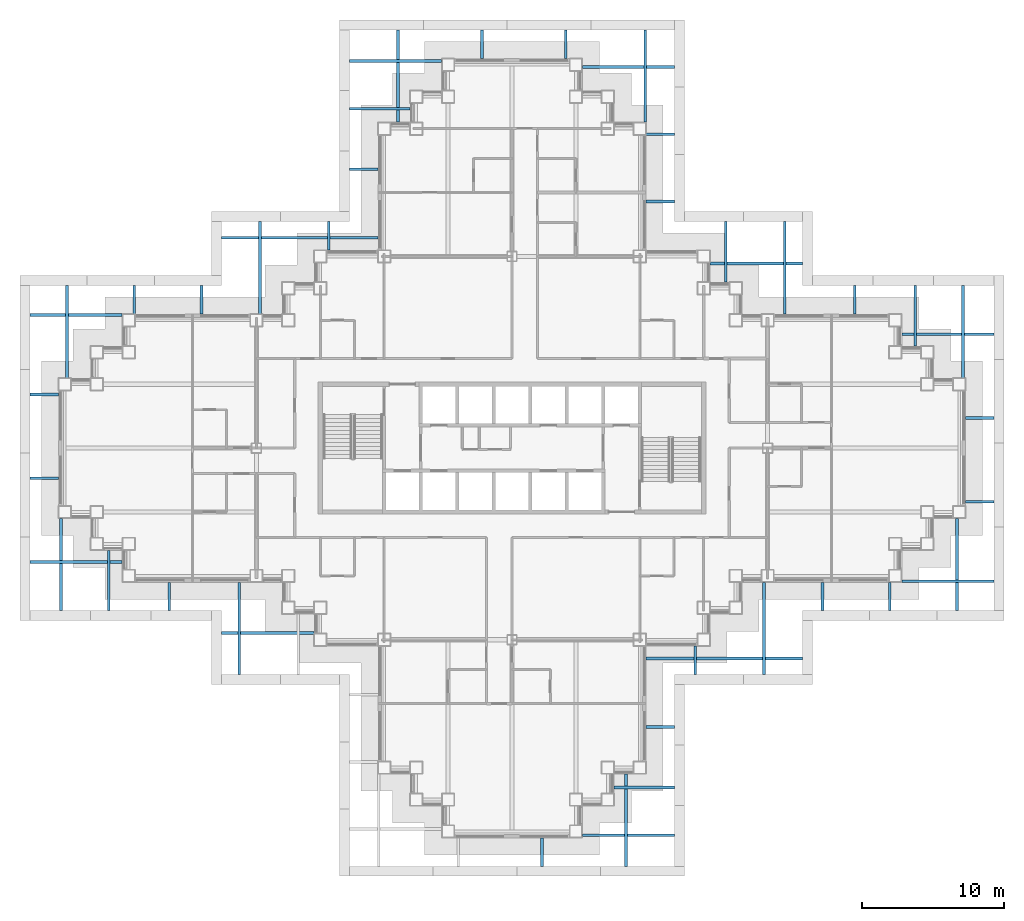
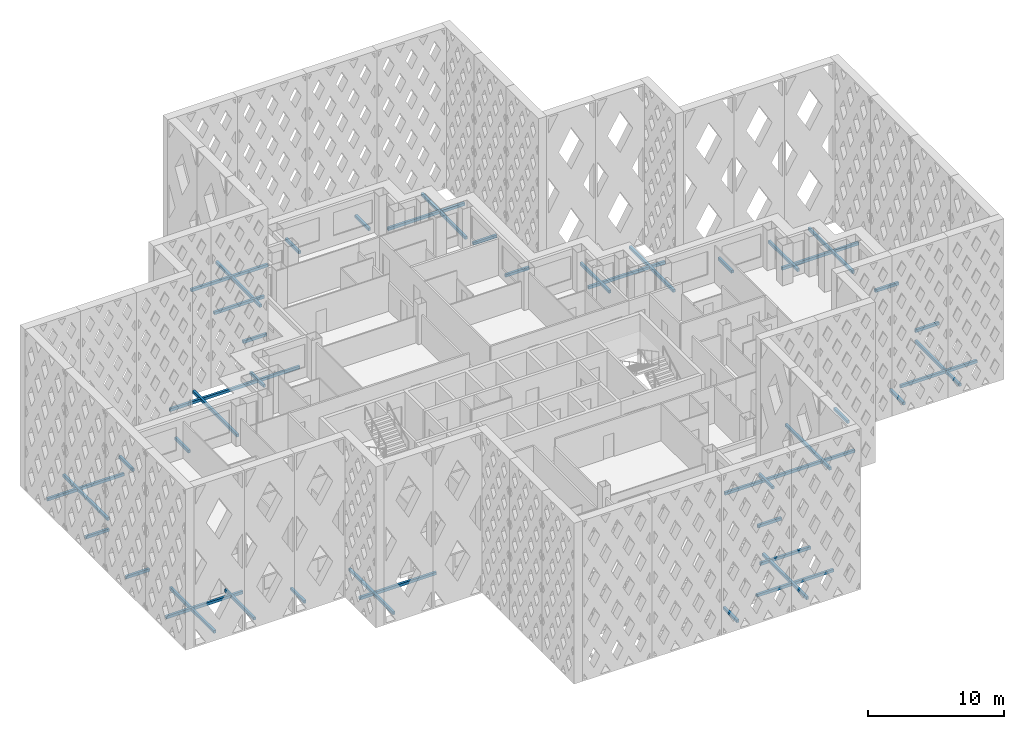
# One storey, part 10 of 21: 46 discrete accessories.
"""IFC4 building model written with IfcOpenShell, lengths in metres."""

from ifc_helpers import new_model, si_unit, direction, frame, origin, origin_2d, place, context, subcontext, project, spatial, rectangle, extrude, material, type_object, element, save


model = new_model("IFC4")

# Units and contexts
model_context = context("Model", 3, precision=1e-05, world=origin(), true_north=direction((0.0, 1.0)))
body_context = subcontext(model_context, "Body", "Model", "MODEL_VIEW")
ifc_project = project(units=[si_unit("LENGTHUNIT", "METRE"), si_unit("AREAUNIT", "SQUARE_METRE"), si_unit("VOLUMEUNIT", "CUBIC_METRE"), si_unit("PLANEANGLEUNIT", "RADIAN"), si_unit("MASSUNIT", "GRAM", prefix="KILO")], contexts=[model_context])

# Site, building, storey
site_placement = place(None, origin())
site = spatial("IfcSite", under=ifc_project, at=site_placement, CompositionType="ELEMENT")
building_placement = place(site_placement, origin())
building = spatial("IfcBuilding", under=site, at=building_placement, Name="Caravel Reach Hotel and Residences", CompositionType="ELEMENT")
storey_placement = place(building_placement, frame((0.0, 0.0, 115.199951171875)))
storey = spatial("IfcBuildingStorey", under=building, at=storey_placement, Name="L28", CompositionType="ELEMENT", Elevation=115.199951171875)

# Discrete accessories
ifc_material = material(Name="Black powder-coated aluminium", Category="aluminium")
discrete_accessory_type = type_object("IfcDiscreteAccessoryType", Name="BR1 Screen bracket", PredefinedType="BRACKET", material=ifc_material)
discrete_accessory_1_placement = place(storey_placement, frame((33.6201171875, -1.449951171875, 0.10009765625), z_axis=(0.0, 0.0, 1.0), x_axis=(0.0, -1.0, 0.0)))
element("IfcDiscreteAccessory", 1, at=discrete_accessory_1_placement, inside=storey, type_object=discrete_accessory_type, Name="Screen bracket L28 2.3.1", PredefinedType="BRACKET", context=body_context, shape_type="SweptSolid", body=[
    extrude(rectangle(XDim=2.0, YDim=0.199951171875, at=origin_2d()), origin(), (0.0, 0.0, 1.0), 0.25),
])
for number, where, z_axis, x_axis, name in (
    (2, (39.52001953125, 0.800048828125, 0.10009765625), (0.0, 0.0, 1.0), (0.0, -1.0, 0.0), "Screen bracket L28 2.4.1"),
    (3, (39.699951171875, -0.27001953125, 0.10009765625), (0.0, 0.0, 1.0), (1.0, 0.0, 0.0), "Screen bracket L28 3.1.1"),
):
    element("IfcDiscreteAccessory", number, at=place(storey_placement, frame(where, z_axis=z_axis, x_axis=x_axis)), inside=storey, type_object=discrete_accessory_type, Name=name, PredefinedType="BRACKET", context=body_context, shape_type="SweptSolid", body=[
        extrude(rectangle(XDim=6.5, YDim=0.199951171875, at=origin_2d()), origin(), (0.0, 0.0, 1.0), 0.25),
    ])
discrete_accessory_2_placement = place(storey_placement, frame((40.824951171875, 3.0966796875, 0.10009765625), z_axis=(0.0, 0.0, 1.0), x_axis=(1.0, 0.0, 0.0)))
element("IfcDiscreteAccessory", 4, at=discrete_accessory_2_placement, inside=storey, type_object=discrete_accessory_type, Name="Screen bracket L28 3.2.1", PredefinedType="BRACKET", context=body_context, shape_type="SweptSolid", body=[
    extrude(rectangle(XDim=4.25, YDim=0.199951171875, at=origin_2d()), origin(), (0.0, 0.0, 1.0), 0.25),
])
for number, where, z_axis, x_axis, name in (
    (5, (41.949951171875, 7.36328125, 0.10009765625), (0.0, 0.0, 1.0), (1.0, 0.0, 0.0), "Screen bracket L28 3.3.1"),
    (6, (44.405029296875, 12.050048828125, 0.10009765625), (0.0, 0.0, 1.0), (0.0, -1.0, 0.0), "Screen bracket L28 4.1.1"),
):
    element("IfcDiscreteAccessory", number, at=place(storey_placement, frame(where, z_axis=z_axis, x_axis=x_axis)), inside=storey, type_object=discrete_accessory_type, Name=name, PredefinedType="BRACKET", context=body_context, shape_type="SweptSolid", body=[
        extrude(rectangle(XDim=2.0, YDim=0.199951171875, at=origin_2d()), origin(), (0.0, 0.0, 1.0), 0.25),
    ])
discrete_accessory_3_placement = place(storey_placement, frame((49.2548828125, 14.300048828125, 0.10009765625), z_axis=(0.0, 0.0, 1.0), x_axis=(0.0, -1.0, 0.0)))
element("IfcDiscreteAccessory", 7, at=discrete_accessory_3_placement, inside=storey, type_object=discrete_accessory_type, Name="Screen bracket L28 4.2.1", PredefinedType="BRACKET", context=body_context, shape_type="SweptSolid", body=[
    extrude(rectangle(XDim=6.5, YDim=0.199951171875, at=origin_2d()), origin(), (0.0, 0.0, 1.0), 0.25),
])
discrete_accessory_4_placement = place(storey_placement, frame((46.449951171875, 12.18994140625, 0.10009765625), z_axis=(0.0, 0.0, 1.0), x_axis=(1.0, 0.0, 0.0)))
element("IfcDiscreteAccessory", 8, at=discrete_accessory_4_placement, inside=storey, type_object=discrete_accessory_type, Name="Screen bracket L28 5.1.1", PredefinedType="BRACKET", context=body_context, shape_type="SweptSolid", body=[
    extrude(rectangle(XDim=11.0, YDim=0.199951171875, at=origin_2d()), origin(), (0.0, 0.0, 1.0), 0.25),
])
for number, where, z_axis, x_axis, name in (
    (9, (53.3701171875, 16.550048828125, 0.10009765625), (0.0, 0.0, 1.0), (0.0, -1.0, 0.0), "Screen bracket L28 6.1.1"),
    (10, (58.103271484375, 16.550048828125, 0.10009765625), (0.0, 0.0, 1.0), (0.0, -1.0, 0.0), "Screen bracket L28 6.2.1"),
):
    element("IfcDiscreteAccessory", number, at=place(storey_placement, frame(where, z_axis=z_axis, x_axis=x_axis)), inside=storey, type_object=discrete_accessory_type, Name=name, PredefinedType="BRACKET", context=body_context, shape_type="SweptSolid", body=[
        extrude(rectangle(XDim=2.0, YDim=0.199951171875, at=origin_2d()), origin(), (0.0, 0.0, 1.0), 0.25),
    ])
for number, where, z_axis, x_axis, name in (
    (11, (62.836669921875, 18.800048828125, 0.10009765625), (0.0, 0.0, 1.0), (0.0, -1.0, 0.0), "Screen bracket L28 6.3.1"),
    (12, (62.199951171875, 17.6201171875, 0.10009765625), (0.0, 0.0, 1.0), (1.0, 0.0, 0.0), "Screen bracket L28 7.1.1"),
):
    element("IfcDiscreteAccessory", number, at=place(storey_placement, frame(where, z_axis=z_axis, x_axis=x_axis)), inside=storey, type_object=discrete_accessory_type, Name=name, PredefinedType="BRACKET", context=body_context, shape_type="SweptSolid", body=[
        extrude(rectangle(XDim=6.5, YDim=0.199951171875, at=origin_2d()), origin(), (0.0, 0.0, 1.0), 0.25),
    ])
for number, where, z_axis, x_axis, name in (
    (13, (64.449951171875, 23.219970703125, 0.10009765625), (0.0, 0.0, 1.0), (1.0, 0.0, 0.0), "Screen bracket L28 7.2.1"),
    (14, (64.449951171875, 29.1201171875, 0.10009765625), (0.0, 0.0, 1.0), (1.0, 0.0, 0.0), "Screen bracket L28 7.3.1"),
):
    element("IfcDiscreteAccessory", number, at=place(storey_placement, frame(where, z_axis=z_axis, x_axis=x_axis)), inside=storey, type_object=discrete_accessory_type, Name=name, PredefinedType="BRACKET", context=body_context, shape_type="SweptSolid", body=[
        extrude(rectangle(XDim=2.0, YDim=0.199951171875, at=origin_2d()), origin(), (0.0, 0.0, 1.0), 0.25),
    ])
for number, where, z_axis, x_axis, name in (
    (15, (62.199951171875, 35.02001953125, 0.10009765625), (0.0, 0.0, 1.0), (1.0, 0.0, 0.0), "Screen bracket L28 7.4.1"),
    (16, (63.27001953125, 35.199951171875, 0.10009765625), (0.0, 0.0, 1.0), (0.0, 1.0, 0.0), "Screen bracket L28 8.1.1"),
):
    element("IfcDiscreteAccessory", number, at=place(storey_placement, frame(where, z_axis=z_axis, x_axis=x_axis)), inside=storey, type_object=discrete_accessory_type, Name=name, PredefinedType="BRACKET", context=body_context, shape_type="SweptSolid", body=[
        extrude(rectangle(XDim=6.5, YDim=0.199951171875, at=origin_2d()), origin(), (0.0, 0.0, 1.0), 0.25),
    ])
discrete_accessory_5_placement = place(storey_placement, frame((59.9033203125, 36.324951171875, 0.10009765625), z_axis=(0.0, 0.0, 1.0), x_axis=(0.0, 1.0, 0.0)))
element("IfcDiscreteAccessory", 17, at=discrete_accessory_5_placement, inside=storey, type_object=discrete_accessory_type, Name="Screen bracket L28 8.2.1", PredefinedType="BRACKET", context=body_context, shape_type="SweptSolid", body=[
    extrude(rectangle(XDim=4.25, YDim=0.199951171875, at=origin_2d()), origin(), (0.0, 0.0, 1.0), 0.25),
])
discrete_accessory_6_placement = place(storey_placement, frame((55.63671875, 37.449951171875, 0.10009765625), z_axis=(0.0, 0.0, 1.0), x_axis=(0.0, 1.0, 0.0)))
element("IfcDiscreteAccessory", 18, at=discrete_accessory_6_placement, inside=storey, type_object=discrete_accessory_type, Name="Screen bracket L28 8.3.1", PredefinedType="BRACKET", context=body_context, shape_type="SweptSolid", body=[
    extrude(rectangle(XDim=2.0, YDim=0.199951171875, at=origin_2d()), origin(), (0.0, 0.0, 1.0), 0.25),
])
for number, where, z_axis, x_axis, name in (
    (19, (48.699951171875, 40.010009765625, 0.10009765625), (0.0, 0.0, 1.0), (1.0, 0.0, 0.0), "Screen bracket L28 9.1.1"),
    (20, (50.705078125, 39.699951171875, 0.10009765625), (0.0, 0.0, 1.0), (0.0, 1.0, 0.0), "Screen bracket L28 10.1.1"),
):
    element("IfcDiscreteAccessory", number, at=place(storey_placement, frame(where, z_axis=z_axis, x_axis=x_axis)), inside=storey, type_object=discrete_accessory_type, Name=name, PredefinedType="BRACKET", context=body_context, shape_type="SweptSolid", body=[
        extrude(rectangle(XDim=6.5, YDim=0.199951171875, at=origin_2d()), origin(), (0.0, 0.0, 1.0), 0.25),
    ])
discrete_accessory_7_placement = place(storey_placement, frame((46.554931640625, 40.824951171875, 0.10009765625), z_axis=(0.0, 0.0, 1.0), x_axis=(0.0, 1.0, 0.0)))
element("IfcDiscreteAccessory", 21, at=discrete_accessory_7_placement, inside=storey, type_object=discrete_accessory_type, Name="Screen bracket L28 10.2.1", PredefinedType="BRACKET", context=body_context, shape_type="SweptSolid", body=[
    extrude(rectangle(XDim=4.25, YDim=0.199951171875, at=origin_2d()), origin(), (0.0, 0.0, 1.0), 0.25),
])
for number, where, z_axis, x_axis, name in (
    (22, (41.949951171875, 44.3701171875, 0.10009765625), (0.0, 0.0, 1.0), (1.0, 0.0, 0.0), "Screen bracket L28 11.1.1"),
    (23, (41.949951171875, 49.103271484375, 0.10009765625), (0.0, 0.0, 1.0), (1.0, 0.0, 0.0), "Screen bracket L28 11.2.1"),
):
    element("IfcDiscreteAccessory", number, at=place(storey_placement, frame(where, z_axis=z_axis, x_axis=x_axis)), inside=storey, type_object=discrete_accessory_type, Name=name, PredefinedType="BRACKET", context=body_context, shape_type="SweptSolid", body=[
        extrude(rectangle(XDim=2.0, YDim=0.199951171875, at=origin_2d()), origin(), (0.0, 0.0, 1.0), 0.25),
    ])
for number, where, z_axis, x_axis, name in (
    (24, (39.699951171875, 53.836669921875, 0.10009765625), (0.0, 0.0, 1.0), (1.0, 0.0, 0.0), "Screen bracket L28 11.3.1"),
    (25, (40.8798828125, 53.199951171875, 0.10009765625), (0.0, 0.0, 1.0), (0.0, 1.0, 0.0), "Screen bracket L28 12.1.1"),
):
    element("IfcDiscreteAccessory", number, at=place(storey_placement, frame(where, z_axis=z_axis, x_axis=x_axis)), inside=storey, type_object=discrete_accessory_type, Name=name, PredefinedType="BRACKET", context=body_context, shape_type="SweptSolid", body=[
        extrude(rectangle(XDim=6.5, YDim=0.199951171875, at=origin_2d()), origin(), (0.0, 0.0, 1.0), 0.25),
    ])
for number, where, z_axis, x_axis, name in (
    (26, (35.280029296875, 55.449951171875, 0.10009765625), (0.0, 0.0, 1.0), (0.0, 1.0, 0.0), "Screen bracket L28 12.2.1"),
    (27, (29.3798828125, 55.449951171875, 0.10009765625), (0.0, 0.0, 1.0), (0.0, 1.0, 0.0), "Screen bracket L28 12.3.1"),
):
    element("IfcDiscreteAccessory", number, at=place(storey_placement, frame(where, z_axis=z_axis, x_axis=x_axis)), inside=storey, type_object=discrete_accessory_type, Name=name, PredefinedType="BRACKET", context=body_context, shape_type="SweptSolid", body=[
        extrude(rectangle(XDim=2.0, YDim=0.199951171875, at=origin_2d()), origin(), (0.0, 0.0, 1.0), 0.25),
    ])
for number, where, z_axis, x_axis, name in (
    (28, (23.47998046875, 53.199951171875, 0.10009765625), (0.0, 0.0, 1.0), (0.0, 1.0, 0.0), "Screen bracket L28 12.4.1"),
    (29, (23.300048828125, 54.27001953125, 0.10009765625), (0.0, 0.0, 1.0), (-1.0, 0.0, 0.0), "Screen bracket L28 13.1.1"),
):
    element("IfcDiscreteAccessory", number, at=place(storey_placement, frame(where, z_axis=z_axis, x_axis=x_axis)), inside=storey, type_object=discrete_accessory_type, Name=name, PredefinedType="BRACKET", context=body_context, shape_type="SweptSolid", body=[
        extrude(rectangle(XDim=6.5, YDim=0.199951171875, at=origin_2d()), origin(), (0.0, 0.0, 1.0), 0.25),
    ])
discrete_accessory_8_placement = place(storey_placement, frame((22.175048828125, 50.9033203125, 0.10009765625), z_axis=(0.0, 0.0, 1.0), x_axis=(-1.0, 0.0, 0.0)))
element("IfcDiscreteAccessory", 30, at=discrete_accessory_8_placement, inside=storey, type_object=discrete_accessory_type, Name="Screen bracket L28 13.2.1", PredefinedType="BRACKET", context=body_context, shape_type="SweptSolid", body=[
    extrude(rectangle(XDim=4.25, YDim=0.199951171875, at=origin_2d()), origin(), (0.0, 0.0, 1.0), 0.25),
])
for number, where, z_axis, x_axis, name in (
    (31, (21.050048828125, 46.63671875, 0.10009765625), (0.0, 0.0, 1.0), (-1.0, 0.0, 0.0), "Screen bracket L28 13.3.1"),
    (32, (18.594970703125, 41.949951171875, 0.10009765625), (0.0, 0.0, 1.0), (0.0, 1.0, 0.0), "Screen bracket L28 14.1.1"),
):
    element("IfcDiscreteAccessory", number, at=place(storey_placement, frame(where, z_axis=z_axis, x_axis=x_axis)), inside=storey, type_object=discrete_accessory_type, Name=name, PredefinedType="BRACKET", context=body_context, shape_type="SweptSolid", body=[
        extrude(rectangle(XDim=2.0, YDim=0.199951171875, at=origin_2d()), origin(), (0.0, 0.0, 1.0), 0.25),
    ])
discrete_accessory_9_placement = place(storey_placement, frame((13.7451171875, 39.699951171875, 0.10009765625), z_axis=(0.0, 0.0, 1.0), x_axis=(0.0, 1.0, 0.0)))
element("IfcDiscreteAccessory", 33, at=discrete_accessory_9_placement, inside=storey, type_object=discrete_accessory_type, Name="Screen bracket L28 14.2.1", PredefinedType="BRACKET", context=body_context, shape_type="SweptSolid", body=[
    extrude(rectangle(XDim=6.5, YDim=0.199951171875, at=origin_2d()), origin(), (0.0, 0.0, 1.0), 0.25),
])
discrete_accessory_10_placement = place(storey_placement, frame((16.550048828125, 41.81005859375, 0.10009765625), z_axis=(0.0, 0.0, 1.0), x_axis=(-1.0, 0.0, 0.0)))
element("IfcDiscreteAccessory", 34, at=discrete_accessory_10_placement, inside=storey, type_object=discrete_accessory_type, Name="Screen bracket L28 15.1.1", PredefinedType="BRACKET", context=body_context, shape_type="SweptSolid", body=[
    extrude(rectangle(XDim=11.0, YDim=0.199951171875, at=origin_2d()), origin(), (0.0, 0.0, 1.0), 0.25),
])
for number, where, z_axis, x_axis, name in (
    (35, (9.6298828125, 37.449951171875, 0.10009765625), (0.0, 0.0, 1.0), (0.0, 1.0, 0.0), "Screen bracket L28 16.1.1"),
    (36, (4.896728515625, 37.449951171875, 0.10009765625), (0.0, 0.0, 1.0), (0.0, 1.0, 0.0), "Screen bracket L28 16.2.1"),
):
    element("IfcDiscreteAccessory", number, at=place(storey_placement, frame(where, z_axis=z_axis, x_axis=x_axis)), inside=storey, type_object=discrete_accessory_type, Name=name, PredefinedType="BRACKET", context=body_context, shape_type="SweptSolid", body=[
        extrude(rectangle(XDim=2.0, YDim=0.199951171875, at=origin_2d()), origin(), (0.0, 0.0, 1.0), 0.25),
    ])
for number, where, z_axis, x_axis, name in (
    (37, (0.163330078125, 35.199951171875, 0.10009765625), (0.0, 0.0, 1.0), (0.0, 1.0, 0.0), "Screen bracket L28 16.3.1"),
    (38, (0.800048828125, 36.3798828125, 0.10009765625), (0.0, 0.0, 1.0), (-1.0, 0.0, 0.0), "Screen bracket L28 17.1.1"),
):
    element("IfcDiscreteAccessory", number, at=place(storey_placement, frame(where, z_axis=z_axis, x_axis=x_axis)), inside=storey, type_object=discrete_accessory_type, Name=name, PredefinedType="BRACKET", context=body_context, shape_type="SweptSolid", body=[
        extrude(rectangle(XDim=6.5, YDim=0.199951171875, at=origin_2d()), origin(), (0.0, 0.0, 1.0), 0.25),
    ])
for number, where, z_axis, x_axis, name in (
    (39, (-1.449951171875, 30.780029296875, 0.10009765625), (0.0, 0.0, 1.0), (-1.0, 0.0, 0.0), "Screen bracket L28 17.2.1"),
    (40, (-1.449951171875, 24.8798828125, 0.10009765625), (0.0, 0.0, 1.0), (-1.0, 0.0, 0.0), "Screen bracket L28 17.3.1"),
):
    element("IfcDiscreteAccessory", number, at=place(storey_placement, frame(where, z_axis=z_axis, x_axis=x_axis)), inside=storey, type_object=discrete_accessory_type, Name=name, PredefinedType="BRACKET", context=body_context, shape_type="SweptSolid", body=[
        extrude(rectangle(XDim=2.0, YDim=0.199951171875, at=origin_2d()), origin(), (0.0, 0.0, 1.0), 0.25),
    ])
for number, where, z_axis, x_axis, name in (
    (41, (0.800048828125, 18.97998046875, 0.10009765625), (0.0, 0.0, 1.0), (-1.0, 0.0, 0.0), "Screen bracket L28 17.4.1"),
    (42, (-0.27001953125, 18.800048828125, 0.10009765625), (0.0, 0.0, 1.0), (0.0, -1.0, 0.0), "Screen bracket L28 18.1.1"),
):
    element("IfcDiscreteAccessory", number, at=place(storey_placement, frame(where, z_axis=z_axis, x_axis=x_axis)), inside=storey, type_object=discrete_accessory_type, Name=name, PredefinedType="BRACKET", context=body_context, shape_type="SweptSolid", body=[
        extrude(rectangle(XDim=6.5, YDim=0.199951171875, at=origin_2d()), origin(), (0.0, 0.0, 1.0), 0.25),
    ])
discrete_accessory_11_placement = place(storey_placement, frame((3.0966796875, 17.675048828125, 0.10009765625), z_axis=(0.0, 0.0, 1.0), x_axis=(0.0, -1.0, 0.0)))
element("IfcDiscreteAccessory", 43, at=discrete_accessory_11_placement, inside=storey, type_object=discrete_accessory_type, Name="Screen bracket L28 18.2.1", PredefinedType="BRACKET", context=body_context, shape_type="SweptSolid", body=[
    extrude(rectangle(XDim=4.25, YDim=0.199951171875, at=origin_2d()), origin(), (0.0, 0.0, 1.0), 0.25),
])
discrete_accessory_12_placement = place(storey_placement, frame((7.36328125, 16.550048828125, 0.10009765625), z_axis=(0.0, 0.0, 1.0), x_axis=(0.0, -1.0, 0.0)))
element("IfcDiscreteAccessory", 44, at=discrete_accessory_12_placement, inside=storey, type_object=discrete_accessory_type, Name="Screen bracket L28 18.3.1", PredefinedType="BRACKET", context=body_context, shape_type="SweptSolid", body=[
    extrude(rectangle(XDim=2.0, YDim=0.199951171875, at=origin_2d()), origin(), (0.0, 0.0, 1.0), 0.25),
])
for number, where, z_axis, x_axis, name in (
    (45, (14.300048828125, 13.989990234375, 0.10009765625), (0.0, 0.0, 1.0), (-1.0, 0.0, 0.0), "Screen bracket L28 19.1.1"),
    (46, (12.294921875, 14.300048828125, 0.10009765625), (0.0, 0.0, 1.0), (0.0, -1.0, 0.0), "Screen bracket L28 20.1.1"),
):
    element("IfcDiscreteAccessory", number, at=place(storey_placement, frame(where, z_axis=z_axis, x_axis=x_axis)), inside=storey, type_object=discrete_accessory_type, Name=name, PredefinedType="BRACKET", context=body_context, shape_type="SweptSolid", body=[
        extrude(rectangle(XDim=6.5, YDim=0.199951171875, at=origin_2d()), origin(), (0.0, 0.0, 1.0), 0.25),
    ])

save(model, "model.ifc")
